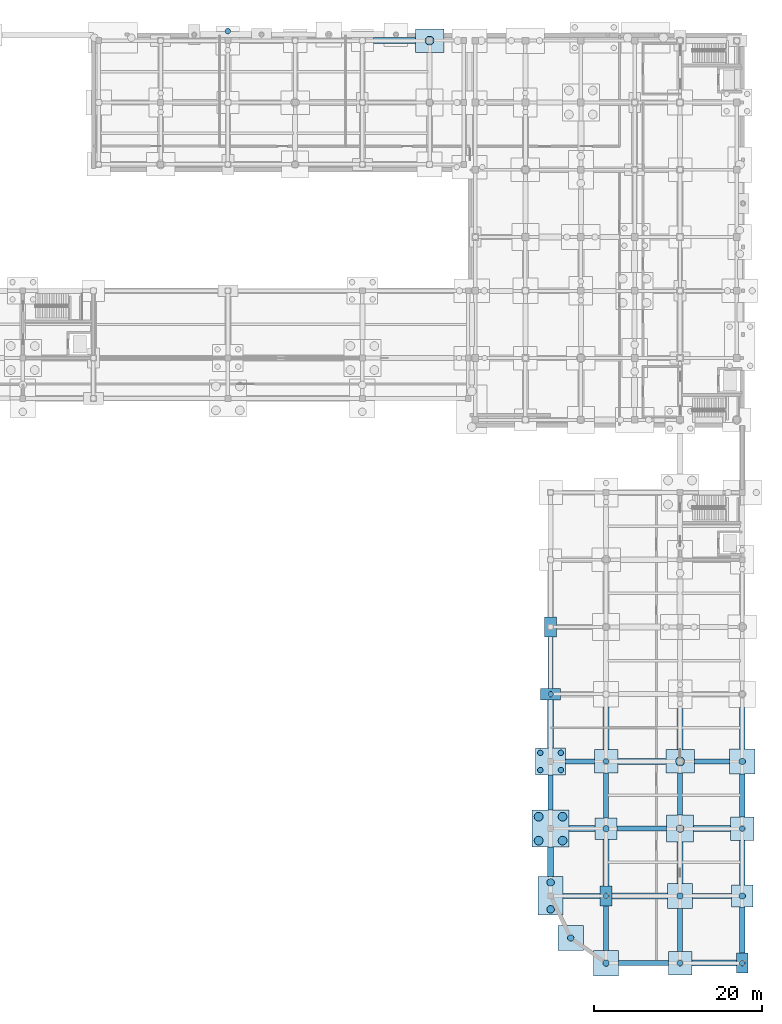
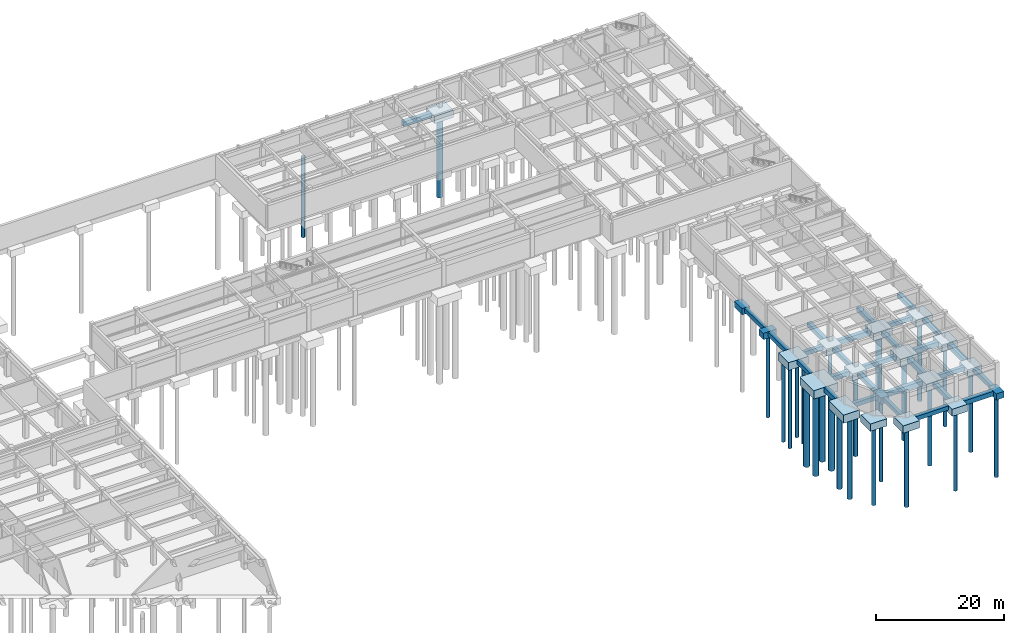
# One storey, part 8 of 35: 47 footings, 26 piles.
"""IFC4 building model written with IfcOpenShell, lengths in metres."""

from ifc_helpers import new_model, si_unit, direction, frame, origin, origin_2d, place, context, subcontext, project, spatial, polyline, rectangle, circle, outline, extrude, material, layer, layer_set, material_profile, profile_set, type_object, element, save


model = new_model("IFC4")

# Units and contexts
model_context = context("Model", 3, precision=1e-05, world=origin(), true_north=direction((0.0, 1.0)))
body_context = subcontext(model_context, "Body", "Model", "MODEL_VIEW")
ifc_project = project(units=[si_unit("LENGTHUNIT", "METRE"), si_unit("AREAUNIT", "SQUARE_METRE"), si_unit("VOLUMEUNIT", "CUBIC_METRE"), si_unit("PLANEANGLEUNIT", "RADIAN"), si_unit("MASSUNIT", "GRAM", prefix="KILO")], contexts=[model_context])

# Site, building, storey
site_placement = place(None, origin())
site = spatial("IfcSite", under=ifc_project, at=site_placement, CompositionType="ELEMENT")
building_placement = place(site_placement, origin())
building = spatial("IfcBuilding", under=site, at=building_placement, Name="Cinchona Park Media Centre", CompositionType="ELEMENT")
storey_placement = place(building_placement, frame((0.0, 0.0, -4.800048828125)))
storey = spatial("IfcBuildingStorey", under=building, at=storey_placement, Name="B1", CompositionType="ELEMENT", Elevation=-4.800048828125)

# Footings
ifc_material_1 = material(Name="Concrete C40/50", Category="concrete")
ifc_layer_1 = layer(ifc_material_1, 0.800048828125)
ifc_layer_set_1 = layer_set([ifc_layer_1], Name="Concrete C40/50")
footing_type_1 = type_object("IfcFootingType", Name="FTG-BEAM-FB01", PredefinedType="FOOTING_BEAM", material=ifc_layer_set_1)
footing_1_placement = place(storey_placement, frame((0.0, 0.0, -1.25)))
element("IfcFooting", 1, at=footing_1_placement, inside=storey, type_object=footing_type_1, Name="Ground Tie Beam FB01", PredefinedType="FOOTING_BEAM", context=body_context, shape_type="SweptSolid", body=[
    extrude(outline(polyline([(157.300048828125, 7.300048828125), (163.199951171875, 7.300048828125), (163.199951171875, 7.89990234375), (157.300048828125, 7.89990234375), (157.300048828125, 7.300048828125)])), origin(), (0.0, 0.0, 1.0), 0.800048828125),
])
footing_2_placement = place(storey_placement, frame((0.0, 0.0, -1.25)))
element("IfcFooting", 2, at=footing_2_placement, inside=storey, type_object=footing_type_1, Name="Ground Tie Beam FB01", PredefinedType="FOOTING_BEAM", context=body_context, shape_type="SweptSolid", body=[
    extrude(outline(polyline([(150.699951171875, 15.300048828125), (155.10009765625, 15.300048828125), (155.10009765625, 15.89990234375), (150.699951171875, 15.89990234375), (150.699951171875, 15.300048828125)])), origin(), (0.0, 0.0, 1.0), 0.800048828125),
])
footing_3_placement = place(storey_placement, frame((0.0, 0.0, -1.25)))
element("IfcFooting", 3, at=footing_3_placement, inside=storey, type_object=footing_type_1, Name="Ground Tie Beam FB01", PredefinedType="FOOTING_BEAM", context=body_context, shape_type="SweptSolid", body=[
    extrude(outline(polyline([(166.10009765625, 15.300048828125), (170.699951171875, 15.300048828125), (170.699951171875, 15.89990234375), (166.10009765625, 15.89990234375), (166.10009765625, 15.300048828125)])), origin(), (0.0, 0.0, 1.0), 0.800048828125),
])
footing_4_placement = place(storey_placement, frame((0.0, 0.0, -1.25)))
element("IfcFooting", 4, at=footing_4_placement, inside=storey, type_object=footing_type_1, Name="Ground Tie Beam FB01", PredefinedType="FOOTING_BEAM", context=body_context, shape_type="SweptSolid", body=[
    extrude(outline(polyline([(157.10009765625, 23.300048828125), (163.0, 23.300048828125), (163.0, 23.89990234375), (157.10009765625, 23.89990234375), (157.10009765625, 23.300048828125)])), origin(), (0.0, 0.0, 1.0), 0.800048828125),
])
footing_5_placement = place(storey_placement, frame((0.0, 0.0, -1.25)))
element("IfcFooting", 5, at=footing_5_placement, inside=storey, type_object=footing_type_1, Name="Ground Tie Beam FB01", PredefinedType="FOOTING_BEAM", context=body_context, shape_type="SweptSolid", body=[
    extrude(outline(polyline([(151.0, 31.300048828125), (154.39990234375, 31.300048828125), (154.39990234375, 31.89990234375), (151.0, 31.89990234375), (151.0, 31.300048828125)])), origin(), (0.0, 0.0, 1.0), 0.800048828125),
])
footing_6_placement = place(storey_placement, frame((0.0, 0.0, -1.25)))
element("IfcFooting", 6, at=footing_6_placement, inside=storey, type_object=footing_type_1, Name="Ground Tie Beam FB01", PredefinedType="FOOTING_BEAM", context=body_context, shape_type="SweptSolid", body=[
    extrude(outline(polyline([(166.300048828125, 31.300048828125), (170.5, 31.300048828125), (170.5, 31.89990234375), (166.300048828125, 31.89990234375), (166.300048828125, 31.300048828125)])), origin(), (0.0, 0.0, 1.0), 0.800048828125),
])
footing_7_placement = place(storey_placement, frame((0.0, 0.0, -1.25)))
element("IfcFooting", 7, at=footing_7_placement, inside=storey, type_object=footing_type_1, Name="Ground Tie Beam FB01", PredefinedType="FOOTING_BEAM", context=body_context, shape_type="SweptSolid", body=[
    extrude(outline(polyline([(148.89990234375, 25.800048828125), (149.5, 25.800048828125), (149.5, 30.0), (148.89990234375, 30.0), (148.89990234375, 25.800048828125)])), origin(), (0.0, 0.0, 1.0), 0.800048828125),
])
footing_8_placement = place(storey_placement, frame((0.0, 0.0, -1.25)))
element("IfcFooting", 8, at=footing_8_placement, inside=storey, type_object=footing_type_1, Name="Ground Tie Beam FB01", PredefinedType="FOOTING_BEAM", context=body_context, shape_type="SweptSolid", body=[
    extrude(outline(polyline([(148.89990234375, 40.300048828125), (149.5, 40.300048828125), (149.5, 46.39990234375), (148.89990234375, 46.39990234375), (148.89990234375, 40.300048828125)])), origin(), (0.0, 0.0, 1.0), 0.800048828125),
])
footing_9_placement = place(storey_placement, frame((0.0, 0.0, -1.25)))
element("IfcFooting", 9, at=footing_9_placement, inside=storey, type_object=footing_type_1, Name="Ground Tie Beam FB01", PredefinedType="FOOTING_BEAM", context=body_context, shape_type="SweptSolid", body=[
    extrude(outline(polyline([(155.5, 9.10009765625), (156.10009765625, 9.10009765625), (156.10009765625, 14.39990234375), (155.5, 14.39990234375), (155.5, 9.10009765625)])), origin(), (0.0, 0.0, 1.0), 0.800048828125),
])
footing_10_placement = place(storey_placement, frame((0.0, 0.0, -1.25)))
element("IfcFooting", 10, at=footing_10_placement, inside=storey, type_object=footing_type_1, Name="Ground Tie Beam FB01", PredefinedType="FOOTING_BEAM", context=body_context, shape_type="SweptSolid", body=[
    extrude(outline(polyline([(155.5, 24.89990234375), (156.10009765625, 24.89990234375), (156.10009765625, 30.199951171875), (155.5, 30.199951171875), (155.5, 24.89990234375)])), origin(), (0.0, 0.0, 1.0), 0.800048828125),
])
footing_11_placement = place(storey_placement, frame((0.0, 0.0, -1.25)))
element("IfcFooting", 11, at=footing_11_placement, inside=storey, type_object=footing_type_1, Name="Ground Tie Beam FB01", PredefinedType="FOOTING_BEAM", context=body_context, shape_type="SweptSolid", body=[
    extrude(outline(polyline([(164.300048828125, 9.0), (164.89990234375, 9.0), (164.89990234375, 14.10009765625), (164.300048828125, 14.10009765625), (164.300048828125, 9.0)])), origin(), (0.0, 0.0, 1.0), 0.800048828125),
])
footing_12_placement = place(storey_placement, frame((0.0, 0.0, -1.25)))
element("IfcFooting", 12, at=footing_12_placement, inside=storey, type_object=footing_type_1, Name="Ground Tie Beam FB01", PredefinedType="FOOTING_BEAM", context=body_context, shape_type="SweptSolid", body=[
    extrude(outline(polyline([(164.300048828125, 25.199951171875), (164.89990234375, 25.199951171875), (164.89990234375, 30.199951171875), (164.300048828125, 30.199951171875), (164.300048828125, 25.199951171875)])), origin(), (0.0, 0.0, 1.0), 0.800048828125),
])
footing_13_placement = place(storey_placement, frame((0.0, 0.0, -1.25)))
element("IfcFooting", 13, at=footing_13_placement, inside=storey, type_object=footing_type_1, Name="Ground Tie Beam FB01", PredefinedType="FOOTING_BEAM", context=body_context, shape_type="SweptSolid", body=[
    extrude(outline(polyline([(171.699951171875, 8.800048828125), (172.300048828125, 8.800048828125), (172.300048828125, 14.300048828125), (171.699951171875, 14.300048828125), (171.699951171875, 8.800048828125)])), origin(), (0.0, 0.0, 1.0), 0.800048828125),
])
footing_14_placement = place(storey_placement, frame((0.0, 0.0, -1.25)))
element("IfcFooting", 14, at=footing_14_placement, inside=storey, type_object=footing_type_1, Name="Ground Tie Beam FB01", PredefinedType="FOOTING_BEAM", context=body_context, shape_type="SweptSolid", body=[
    extrude(outline(polyline([(171.699951171875, 25.0), (172.300048828125, 25.0), (172.300048828125, 30.10009765625), (171.699951171875, 30.10009765625), (171.699951171875, 25.0)])), origin(), (0.0, 0.0, 1.0), 0.800048828125),
])
ifc_material_2 = material(Name="Concrete C40/50", Category="concrete")
ifc_layer_2 = layer(ifc_material_2, 0.89990234375)
ifc_layer_set_2 = layer_set([ifc_layer_2], Name="Concrete C40/50")
footing_type_2 = type_object("IfcFootingType", Name="FTG-BEAM-FB02", PredefinedType="FOOTING_BEAM", material=ifc_layer_set_2)
footing_15_placement = place(storey_placement, frame((0.0, 0.0, -1.349853515625)))
element("IfcFooting", 15, at=footing_15_placement, inside=storey, type_object=footing_type_2, Name="Ground Tie Beam FB02", PredefinedType="FOOTING_BEAM", context=body_context, shape_type="SweptSolid", body=[
    extrude(outline(polyline([(166.0, 7.25), (171.300048828125, 7.25), (171.300048828125, 7.949951171875), (166.0, 7.949951171875), (166.0, 7.25)])), origin(), (0.0, 0.0, 1.0), 0.89990234375),
])
footing_16_placement = place(storey_placement, frame((0.0, 0.0, -1.349853515625)))
element("IfcFooting", 16, at=footing_16_placement, inside=storey, type_object=footing_type_2, Name="Ground Tie Beam FB02", PredefinedType="FOOTING_BEAM", context=body_context, shape_type="SweptSolid", body=[
    extrude(outline(polyline([(156.5, 15.25), (163.10009765625, 15.25), (163.10009765625, 15.949951171875), (156.5, 15.949951171875), (156.5, 15.25)])), origin(), (0.0, 0.0, 1.0), 0.89990234375),
])
footing_17_placement = place(storey_placement, frame((0.0, 0.0, -1.349853515625)))
element("IfcFooting", 17, at=footing_17_placement, inside=storey, type_object=footing_type_2, Name="Ground Tie Beam FB02", PredefinedType="FOOTING_BEAM", context=body_context, shape_type="SweptSolid", body=[
    extrude(outline(polyline([(151.39990234375, 23.25), (154.5, 23.25), (154.5, 23.949951171875), (151.39990234375, 23.949951171875), (151.39990234375, 23.25)])), origin(), (0.0, 0.0, 1.0), 0.89990234375),
])
footing_18_placement = place(storey_placement, frame((0.0, 0.0, -1.349853515625)))
element("IfcFooting", 18, at=footing_18_placement, inside=storey, type_object=footing_type_2, Name="Ground Tie Beam FB02", PredefinedType="FOOTING_BEAM", context=body_context, shape_type="SweptSolid", body=[
    extrude(outline(polyline([(166.199951171875, 23.25), (170.60009765625, 23.25), (170.60009765625, 23.949951171875), (166.199951171875, 23.949951171875), (166.199951171875, 23.25)])), origin(), (0.0, 0.0, 1.0), 0.89990234375),
])
footing_19_placement = place(storey_placement, frame((0.0, 0.0, -1.349853515625)))
element("IfcFooting", 19, at=footing_19_placement, inside=storey, type_object=footing_type_2, Name="Ground Tie Beam FB02", PredefinedType="FOOTING_BEAM", context=body_context, shape_type="SweptSolid", body=[
    extrude(outline(polyline([(157.199951171875, 31.25), (162.89990234375, 31.25), (162.89990234375, 31.949951171875), (157.199951171875, 31.949951171875), (157.199951171875, 31.25)])), origin(), (0.0, 0.0, 1.0), 0.89990234375),
])
footing_20_placement = place(storey_placement, frame((0.0, 0.0, -1.39990234375)))
element("IfcFooting", 20, at=footing_20_placement, inside=storey, type_object=footing_type_2, Name="Ground Tie Beam FB02", PredefinedType="FOOTING_BEAM", context=body_context, shape_type="SweptSolid", body=[
    extrude(outline(polyline([(128.10009765625, 117.010009765625), (133.10009765625, 117.010009765625), (133.10009765625, 117.7099609375), (128.10009765625, 117.7099609375), (128.10009765625, 117.010009765625)])), origin(), (0.0, 0.0, 1.0), 0.89990234375),
])
footing_21_placement = place(storey_placement, frame((0.0, 0.0, -1.349853515625)))
element("IfcFooting", 21, at=footing_21_placement, inside=storey, type_object=footing_type_2, Name="Ground Tie Beam FB02", PredefinedType="FOOTING_BEAM", context=body_context, shape_type="SweptSolid", body=[
    extrude(outline(polyline([(148.85009765625, 17.89990234375), (149.550048828125, 17.89990234375), (149.550048828125, 21.39990234375), (148.85009765625, 21.39990234375), (148.85009765625, 17.89990234375)])), origin(), (0.0, 0.0, 1.0), 0.89990234375),
])
footing_22_placement = place(storey_placement, frame((0.0, 0.0, -1.349853515625)))
element("IfcFooting", 22, at=footing_22_placement, inside=storey, type_object=footing_type_2, Name="Ground Tie Beam FB02", PredefinedType="FOOTING_BEAM", context=body_context, shape_type="SweptSolid", body=[
    extrude(outline(polyline([(148.85009765625, 33.199951171875), (149.550048828125, 33.199951171875), (149.550048828125, 38.89990234375), (148.85009765625, 38.89990234375), (148.85009765625, 33.199951171875)])), origin(), (0.0, 0.0, 1.0), 0.89990234375),
])
footing_23_placement = place(storey_placement, frame((0.0, 0.0, -1.349853515625)))
element("IfcFooting", 23, at=footing_23_placement, inside=storey, type_object=footing_type_2, Name="Ground Tie Beam FB02", PredefinedType="FOOTING_BEAM", context=body_context, shape_type="SweptSolid", body=[
    extrude(outline(polyline([(155.449951171875, 16.800048828125), (156.14990234375, 16.800048828125), (156.14990234375, 22.300048828125), (155.449951171875, 22.300048828125), (155.449951171875, 16.800048828125)])), origin(), (0.0, 0.0, 1.0), 0.89990234375),
])
footing_24_placement = place(storey_placement, frame((0.0, 0.0, -1.349853515625)))
element("IfcFooting", 24, at=footing_24_placement, inside=storey, type_object=footing_type_2, Name="Ground Tie Beam FB02", PredefinedType="FOOTING_BEAM", context=body_context, shape_type="SweptSolid", body=[
    extrude(outline(polyline([(155.449951171875, 33.0), (156.14990234375, 33.0), (156.14990234375, 38.10009765625), (155.449951171875, 38.10009765625), (155.449951171875, 33.0)])), origin(), (0.0, 0.0, 1.0), 0.89990234375),
])
footing_25_placement = place(storey_placement, frame((0.0, 0.0, -1.349853515625)))
element("IfcFooting", 25, at=footing_25_placement, inside=storey, type_object=footing_type_2, Name="Ground Tie Beam FB02", PredefinedType="FOOTING_BEAM", context=body_context, shape_type="SweptSolid", body=[
    extrude(outline(polyline([(164.25, 17.10009765625), (164.949951171875, 17.10009765625), (164.949951171875, 22.0), (164.25, 22.0), (164.25, 17.10009765625)])), origin(), (0.0, 0.0, 1.0), 0.89990234375),
])
footing_26_placement = place(storey_placement, frame((0.0, 0.0, -1.349853515625)))
element("IfcFooting", 26, at=footing_26_placement, inside=storey, type_object=footing_type_2, Name="Ground Tie Beam FB02", PredefinedType="FOOTING_BEAM", context=body_context, shape_type="SweptSolid", body=[
    extrude(outline(polyline([(164.25, 33.0), (164.949951171875, 33.0), (164.949951171875, 37.89990234375), (164.25, 37.89990234375), (164.25, 33.0)])), origin(), (0.0, 0.0, 1.0), 0.89990234375),
])
footing_27_placement = place(storey_placement, frame((0.0, 0.0, -1.349853515625)))
element("IfcFooting", 27, at=footing_27_placement, inside=storey, type_object=footing_type_2, Name="Ground Tie Beam FB02", PredefinedType="FOOTING_BEAM", context=body_context, shape_type="SweptSolid", body=[
    extrude(outline(polyline([(171.64990234375, 16.89990234375), (172.35009765625, 16.89990234375), (172.35009765625, 22.199951171875), (171.64990234375, 22.199951171875), (171.64990234375, 16.89990234375)])), origin(), (0.0, 0.0, 1.0), 0.89990234375),
])
footing_28_placement = place(storey_placement, frame((0.0, 0.0, -1.349853515625)))
element("IfcFooting", 28, at=footing_28_placement, inside=storey, type_object=footing_type_2, Name="Ground Tie Beam FB02", PredefinedType="FOOTING_BEAM", context=body_context, shape_type="SweptSolid", body=[
    extrude(outline(polyline([(171.64990234375, 33.10009765625), (172.35009765625, 33.10009765625), (172.35009765625, 38.0), (171.64990234375, 38.0), (171.64990234375, 33.10009765625)])), origin(), (0.0, 0.0, 1.0), 0.89990234375),
])

# Piles
ifc_material_3 = material(Name="Concrete C40/50", Category="concrete")
ifc_material_profile_1 = material_profile(ifc_material_3, circle(Radius=0.52490234375, at=origin_2d()), Name="BORED PILE 1050")
ifc_profile_set_1 = profile_set([ifc_material_profile_1], Name="Concrete C40/50")
pile_type_1 = type_object("IfcPileType", Name="PILE-BP1050", PredefinedType="BORED", material=ifc_profile_set_1)
pile_1_placement = place(storey_placement, frame((134.800048828125, 117.360107421875, -1.800048828125), z_axis=(0.0, 0.0, -1.0), x_axis=(1.0, 0.0, 0.0)))
element("IfcPile", 29, at=pile_1_placement, inside=storey, type_object=pile_type_1, Name="Bored Pile P1050", PredefinedType="BORED", context=body_context, shape_type="SweptSolid", body=[
    extrude(circle(Radius=0.52490234375, at=origin_2d()), origin(), (0.0, 0.0, 1.0), 15.39990234375),
])
for number, where, z_axis, x_axis, name in (
    (30, (147.77490234375, 22.175048828125, -1.949951171875), (0.0, 0.0, -1.0), (1.0, 0.0, 0.0), "Bored Pile P1050"),
    (31, (147.77490234375, 25.02490234375, -1.949951171875), (0.0, 0.0, -1.0), (1.0, 0.0, 0.0), "Bored Pile P1050"),
    (32, (150.625, 22.175048828125, -1.949951171875), (0.0, 0.0, -1.0), (1.0, 0.0, 0.0), "Bored Pile P1050"),
    (33, (150.625, 25.02490234375, -1.949951171875), (0.0, 0.0, -1.0), (1.0, 0.0, 0.0), "Bored Pile P1050"),
):
    element("IfcPile", number, at=place(storey_placement, frame(where, z_axis=z_axis, x_axis=x_axis)), inside=storey, type_object=pile_type_1, Name=name, PredefinedType="BORED", context=body_context, shape_type="SweptSolid", body=[
        extrude(circle(Radius=0.52490234375, at=origin_2d()), origin(), (0.0, 0.0, 1.0), 15.25),
    ])
pile_2_placement = place(storey_placement, frame((164.60009765625, 31.60009765625, -1.75), z_axis=(0.0, 0.0, -1.0), x_axis=(1.0, 0.0, 0.0)))
element("IfcPile", 34, at=pile_2_placement, inside=storey, type_object=pile_type_1, Name="Bored Pile P1050", PredefinedType="BORED", context=body_context, shape_type="SweptSolid", body=[
    extrude(circle(Radius=0.52490234375, at=origin_2d()), origin(), (0.0, 0.0, 1.0), 15.449951171875),
])
ifc_material_4 = material(Name="Concrete C40/50", Category="concrete")
ifc_material_profile_2 = material_profile(ifc_material_4, circle(Radius=0.324951171875, at=origin_2d()), Name="BORED PILE 650")
ifc_profile_set_2 = profile_set([ifc_material_profile_2], Name="Concrete C40/50")
pile_type_2 = type_object("IfcPileType", Name="PILE-BP650", PredefinedType="BORED", material=ifc_profile_set_2)
pile_3_placement = place(storey_placement, frame((110.800048828125, 118.485107421875, -1.800048828125), z_axis=(0.0, 0.0, -1.0), x_axis=(1.0, 0.0, 0.0)))
element("IfcPile", 35, at=pile_3_placement, inside=storey, type_object=pile_type_2, Name="Bored Pile P650", PredefinedType="BORED", context=body_context, shape_type="SweptSolid", body=[
    extrude(circle(Radius=0.324951171875, at=origin_2d()), origin(), (0.0, 0.0, 1.0), 15.39990234375),
])
for number, where, z_axis, x_axis, name in (
    (36, (147.97509765625, 30.574951171875, -1.829833984375), (0.0, 0.0, -1.0), (1.0, 0.0, 0.0), "Bored Pile P650"),
    (37, (147.97509765625, 32.625, -1.829833984375), (0.0, 0.0, -1.0), (1.0, 0.0, 0.0), "Bored Pile P650"),
    (38, (150.425048828125, 30.574951171875, -1.829833984375), (0.0, 0.0, -1.0), (1.0, 0.0, 0.0), "Bored Pile P650"),
    (39, (150.425048828125, 32.625, -1.829833984375), (0.0, 0.0, -1.0), (1.0, 0.0, 0.0), "Bored Pile P650"),
):
    element("IfcPile", number, at=place(storey_placement, frame(where, z_axis=z_axis, x_axis=x_axis)), inside=storey, type_object=pile_type_2, Name=name, PredefinedType="BORED", context=body_context, shape_type="SweptSolid", body=[
        extrude(circle(Radius=0.324951171875, at=origin_2d()), origin(), (0.0, 0.0, 1.0), 15.3701171875),
    ])
for number, where, z_axis, x_axis, name in (
    (40, (149.199951171875, 39.60009765625, -1.550048828125), (0.0, 0.0, -1.0), (1.0, 0.0, 0.0), "Bored Pile P650"),
    (41, (155.800048828125, 15.60009765625, -1.550048828125), (0.0, 0.0, -1.0), (1.0, 0.0, 0.0), "Bored Pile P650"),
):
    element("IfcPile", number, at=place(storey_placement, frame(where, z_axis=z_axis, x_axis=x_axis)), inside=storey, type_object=pile_type_2, Name=name, PredefinedType="BORED", context=body_context, shape_type="SweptSolid", body=[
        extrude(circle(Radius=0.324951171875, at=origin_2d()), origin(), (0.0, 0.0, 1.0), 15.64990234375),
    ])
for number, where, z_axis, x_axis, name in (
    (42, (155.800048828125, 31.60009765625, -1.699951171875), (0.0, 0.0, -1.0), (1.0, 0.0, 0.0), "Bored Pile P650"),
    (43, (164.60009765625, 7.60009765625, -1.699951171875), (0.0, 0.0, -1.0), (1.0, 0.0, 0.0), "Bored Pile P650"),
):
    element("IfcPile", number, at=place(storey_placement, frame(where, z_axis=z_axis, x_axis=x_axis)), inside=storey, type_object=pile_type_2, Name=name, PredefinedType="BORED", context=body_context, shape_type="SweptSolid", body=[
        extrude(circle(Radius=0.324951171875, at=origin_2d()), origin(), (0.0, 0.0, 1.0), 15.5),
    ])
pile_4_placement = place(storey_placement, frame((172.0, 7.60009765625, -1.550048828125), z_axis=(0.0, 0.0, -1.0), x_axis=(1.0, 0.0, 0.0)))
element("IfcPile", 44, at=pile_4_placement, inside=storey, type_object=pile_type_2, Name="Bored Pile P650", PredefinedType="BORED", context=body_context, shape_type="SweptSolid", body=[
    extrude(circle(Radius=0.324951171875, at=origin_2d()), origin(), (0.0, 0.0, 1.0), 15.64990234375),
])
pile_5_placement = place(storey_placement, frame((172.0, 23.60009765625, -1.699951171875), z_axis=(0.0, 0.0, -1.0), x_axis=(1.0, 0.0, 0.0)))
element("IfcPile", 45, at=pile_5_placement, inside=storey, type_object=pile_type_2, Name="Bored Pile P650", PredefinedType="BORED", context=body_context, shape_type="SweptSolid", body=[
    extrude(circle(Radius=0.324951171875, at=origin_2d()), origin(), (0.0, 0.0, 1.0), 15.5),
])
ifc_material_5 = material(Name="Concrete C40/50", Category="concrete")
ifc_material_profile_3 = material_profile(ifc_material_5, circle(Radius=0.375, at=origin_2d()), Name="BORED PILE 750")
ifc_profile_set_3 = profile_set([ifc_material_profile_3], Name="Concrete C40/50")
pile_type_3 = type_object("IfcPileType", Name="PILE-BP750", PredefinedType="BORED", material=ifc_profile_set_3)
for number, where, z_axis, x_axis, name in (
    (46, (151.60009765625, 10.60009765625, -1.75), (0.0, 0.0, -1.0), (1.0, 0.0, 0.0), "Bored Pile P750"),
    (47, (155.800048828125, 7.60009765625, -1.75), (0.0, 0.0, -1.0), (1.0, 0.0, 0.0), "Bored Pile P750"),
):
    element("IfcPile", number, at=place(storey_placement, frame(where, z_axis=z_axis, x_axis=x_axis)), inside=storey, type_object=pile_type_3, Name=name, PredefinedType="BORED", context=body_context, shape_type="SweptSolid", body=[
        extrude(circle(Radius=0.375, at=origin_2d()), origin(), (0.0, 0.0, 1.0), 15.449951171875),
    ])
pile_6_placement = place(storey_placement, frame((155.800048828125, 23.60009765625, -1.64990234375), z_axis=(0.0, 0.0, -1.0), x_axis=(1.0, 0.0, 0.0)))
element("IfcPile", 48, at=pile_6_placement, inside=storey, type_object=pile_type_3, Name="Bored Pile P750", PredefinedType="BORED", context=body_context, shape_type="SweptSolid", body=[
    extrude(circle(Radius=0.375, at=origin_2d()), origin(), (0.0, 0.0, 1.0), 15.550048828125),
])
pile_7_placement = place(storey_placement, frame((164.60009765625, 15.60009765625, -1.75), z_axis=(0.0, 0.0, -1.0), x_axis=(1.0, 0.0, 0.0)))
element("IfcPile", 49, at=pile_7_placement, inside=storey, type_object=pile_type_3, Name="Bored Pile P750", PredefinedType="BORED", context=body_context, shape_type="SweptSolid", body=[
    extrude(circle(Radius=0.375, at=origin_2d()), origin(), (0.0, 0.0, 1.0), 15.449951171875),
])
pile_8_placement = place(storey_placement, frame((172.0, 15.60009765625, -1.64990234375), z_axis=(0.0, 0.0, -1.0), x_axis=(1.0, 0.0, 0.0)))
element("IfcPile", 50, at=pile_8_placement, inside=storey, type_object=pile_type_3, Name="Bored Pile P750", PredefinedType="BORED", context=body_context, shape_type="SweptSolid", body=[
    extrude(circle(Radius=0.375, at=origin_2d()), origin(), (0.0, 0.0, 1.0), 15.550048828125),
])
pile_9_placement = place(storey_placement, frame((172.0, 31.60009765625, -1.75), z_axis=(0.0, 0.0, -1.0), x_axis=(1.0, 0.0, 0.0)))
element("IfcPile", 51, at=pile_9_placement, inside=storey, type_object=pile_type_3, Name="Bored Pile P750", PredefinedType="BORED", context=body_context, shape_type="SweptSolid", body=[
    extrude(circle(Radius=0.375, at=origin_2d()), origin(), (0.0, 0.0, 1.0), 15.449951171875),
])
ifc_material_6 = material(Name="Concrete C40/50", Category="concrete")
ifc_material_profile_4 = material_profile(ifc_material_6, circle(Radius=0.449951171875, at=origin_2d()), Name="BORED PILE 900")
ifc_profile_set_4 = profile_set([ifc_material_profile_4], Name="Concrete C40/50")
pile_type_4 = type_object("IfcPileType", Name="PILE-BP900", PredefinedType="BORED", material=ifc_profile_set_4)
for number, where, z_axis, x_axis, name in (
    (52, (149.199951171875, 14.0, -1.89990234375), (0.0, 0.0, -1.0), (1.0, 0.0, 0.0), "Bored Pile P900"),
    (53, (149.199951171875, 17.199951171875, -1.89990234375), (0.0, 0.0, -1.0), (1.0, 0.0, 0.0), "Bored Pile P900"),
):
    element("IfcPile", number, at=place(storey_placement, frame(where, z_axis=z_axis, x_axis=x_axis)), inside=storey, type_object=pile_type_4, Name=name, PredefinedType="BORED", context=body_context, shape_type="SweptSolid", body=[
        extrude(circle(Radius=0.449951171875, at=origin_2d()), origin(), (0.0, 0.0, 1.0), 15.300048828125),
    ])
pile_10_placement = place(storey_placement, frame((164.60009765625, 23.60009765625, -1.800048828125), z_axis=(0.0, 0.0, -1.0), x_axis=(1.0, 0.0, 0.0)))
element("IfcPile", 54, at=pile_10_placement, inside=storey, type_object=pile_type_4, Name="Bored Pile P900", PredefinedType="BORED", context=body_context, shape_type="SweptSolid", body=[
    extrude(circle(Radius=0.449951171875, at=origin_2d()), origin(), (0.0, 0.0, 1.0), 15.39990234375),
])

# Footings
ifc_material_7 = material(Name="Concrete C40/50", Category="concrete")
ifc_layer_3 = layer(ifc_material_7, 1.199951171875)
ifc_layer_set_3 = layer_set([ifc_layer_3], Name="Concrete C40/50")
footing_type_3 = type_object("IfcFootingType", Name="PILE-CAP-PC01", PredefinedType="PILE_CAP", material=ifc_layer_set_3)
footing_29_placement = place(storey_placement, frame((149.199951171875, 39.60009765625, -1.64990234375), z_axis=(0.0, 0.0, 1.0), x_axis=(1.0, 0.0, 0.0)))
element("IfcFooting", 55, at=footing_29_placement, inside=storey, type_object=footing_type_3, Name="Pile Cap PC01", PredefinedType="PILE_CAP", context=body_context, shape_type="SweptSolid", body=[
    extrude(rectangle(XDim=2.39990234375, YDim=1.39990234375, at=origin_2d()), origin(), (0.0, 0.0, 1.0), 1.199951171875),
])
ifc_material_8 = material(Name="Concrete C40/50", Category="concrete")
ifc_layer_4 = layer(ifc_material_8, 1.199951171875)
ifc_layer_set_4 = layer_set([ifc_layer_4], Name="Concrete C40/50")
footing_type_4 = type_object("IfcFootingType", Name="PILE-CAP-PC02", PredefinedType="PILE_CAP", material=ifc_layer_set_4)
for number, where, z_axis, x_axis, name in (
    (56, (149.199951171875, 47.60009765625, -1.64990234375), (0.0, 0.0, 1.0), (1.0, 0.0, 0.0), "Pile Cap PC02"),
    (57, (155.800048828125, 15.60009765625, -1.64990234375), (0.0, 0.0, 1.0), (1.0, 0.0, 0.0), "Pile Cap PC02"),
    (58, (172.0, 7.60009765625, -1.64990234375), (0.0, 0.0, 1.0), (1.0, 0.0, 0.0), "Pile Cap PC02"),
):
    element("IfcFooting", number, at=place(storey_placement, frame(where, z_axis=z_axis, x_axis=x_axis)), inside=storey, type_object=footing_type_4, Name=name, PredefinedType="PILE_CAP", context=body_context, shape_type="SweptSolid", body=[
        extrude(rectangle(XDim=1.39990234375, YDim=2.39990234375, at=origin_2d()), origin(), (0.0, 0.0, 1.0), 1.199951171875),
    ])
ifc_material_9 = material(Name="Concrete C40/50", Category="concrete")
ifc_layer_5 = layer(ifc_material_9, 1.300048828125)
ifc_layer_set_5 = layer_set([ifc_layer_5], Name="Concrete C40/50")
footing_type_5 = type_object("IfcFootingType", Name="PILE-CAP-PC03", PredefinedType="PILE_CAP", material=ifc_layer_set_5)
for number, where, z_axis, x_axis, name in (
    (59, (155.800048828125, 23.60009765625, -1.75), (0.0, 0.0, 1.0), (1.0, 0.0, 0.0), "Pile Cap PC03"),
    (60, (172.0, 15.60009765625, -1.75), (0.0, 0.0, 1.0), (1.0, 0.0, 0.0), "Pile Cap PC03"),
):
    element("IfcFooting", number, at=place(storey_placement, frame(where, z_axis=z_axis, x_axis=x_axis)), inside=storey, type_object=footing_type_5, Name=name, PredefinedType="PILE_CAP", context=body_context, shape_type="SweptSolid", body=[
        extrude(rectangle(XDim=2.60009765625, YDim=2.60009765625, at=origin_2d()), origin(), (0.0, 0.0, 1.0), 1.300048828125),
    ])
ifc_material_10 = material(Name="Concrete C40/50", Category="concrete")
ifc_layer_6 = layer(ifc_material_10, 1.35009765625)
ifc_layer_set_6 = layer_set([ifc_layer_6], Name="Concrete C40/50")
footing_type_6 = type_object("IfcFootingType", Name="PILE-CAP-PC04", PredefinedType="PILE_CAP", material=ifc_layer_set_6)
for number, where, z_axis, x_axis, name in (
    (61, (155.800048828125, 31.60009765625, -1.800048828125), (0.0, 0.0, 1.0), (1.0, 0.0, 0.0), "Pile Cap PC04"),
    (62, (164.60009765625, 7.60009765625, -1.800048828125), (0.0, 0.0, 1.0), (1.0, 0.0, 0.0), "Pile Cap PC04"),
    (63, (172.0, 23.60009765625, -1.800048828125), (0.0, 0.0, 1.0), (1.0, 0.0, 0.0), "Pile Cap PC04"),
):
    element("IfcFooting", number, at=place(storey_placement, frame(where, z_axis=z_axis, x_axis=x_axis)), inside=storey, type_object=footing_type_6, Name=name, PredefinedType="PILE_CAP", context=body_context, shape_type="SweptSolid", body=[
        extrude(rectangle(XDim=2.800048828125, YDim=2.800048828125, at=origin_2d()), origin(), (0.0, 0.0, 1.0), 1.35009765625),
    ])
ifc_material_11 = material(Name="Concrete C40/50", Category="concrete")
ifc_layer_7 = layer(ifc_material_11, 1.39990234375)
ifc_layer_set_7 = layer_set([ifc_layer_7], Name="Concrete C40/50")
footing_type_7 = type_object("IfcFootingType", Name="PILE-CAP-PC05", PredefinedType="PILE_CAP", material=ifc_layer_set_7)
for number, where, z_axis, x_axis, name in (
    (64, (151.60009765625, 10.60009765625, -1.849853515625), (0.0, 0.0, 1.0), (1.0, 0.0, 0.0), "Pile Cap PC05"),
    (65, (155.800048828125, 7.60009765625, -1.849853515625), (0.0, 0.0, 1.0), (1.0, 0.0, 0.0), "Pile Cap PC05"),
    (66, (164.60009765625, 15.60009765625, -1.849853515625), (0.0, 0.0, 1.0), (1.0, 0.0, 0.0), "Pile Cap PC05"),
    (67, (172.0, 31.60009765625, -1.849853515625), (0.0, 0.0, 1.0), (1.0, 0.0, 0.0), "Pile Cap PC05"),
):
    element("IfcFooting", number, at=place(storey_placement, frame(where, z_axis=z_axis, x_axis=x_axis)), inside=storey, type_object=footing_type_7, Name=name, PredefinedType="PILE_CAP", context=body_context, shape_type="SweptSolid", body=[
        extrude(rectangle(XDim=3.0, YDim=3.0, at=origin_2d()), origin(), (0.0, 0.0, 1.0), 1.39990234375),
    ])
ifc_material_12 = material(Name="Concrete C40/50", Category="concrete")
ifc_layer_8 = layer(ifc_material_12, 1.449951171875)
ifc_layer_set_8 = layer_set([ifc_layer_8], Name="Concrete C40/50")
footing_type_8 = type_object("IfcFootingType", Name="PILE-CAP-PC06", PredefinedType="PILE_CAP", material=ifc_layer_set_8)
footing_30_placement = place(storey_placement, frame((164.60009765625, 23.60009765625, -1.89990234375), z_axis=(0.0, 0.0, 1.0), x_axis=(1.0, 0.0, 0.0)))
element("IfcFooting", 68, at=footing_30_placement, inside=storey, type_object=footing_type_8, Name="Pile Cap PC06", PredefinedType="PILE_CAP", context=body_context, shape_type="SweptSolid", body=[
    extrude(rectangle(XDim=3.199951171875, YDim=3.199951171875, at=origin_2d()), origin(), (0.0, 0.0, 1.0), 1.449951171875),
])
ifc_material_13 = material(Name="Concrete C40/50", Category="concrete")
ifc_layer_9 = layer(ifc_material_13, 1.39990234375)
ifc_layer_set_9 = layer_set([ifc_layer_9], Name="Concrete C40/50")
footing_type_9 = type_object("IfcFootingType", Name="PILE-CAP-PC07", PredefinedType="PILE_CAP", material=ifc_layer_set_9)
for number, where, z_axis, x_axis, name in (
    (69, (134.800048828125, 117.360107421875, -1.89990234375), (0.0, 0.0, 1.0), (1.0, 0.0, 0.0), "Pile Cap PC07"),
    (70, (164.60009765625, 31.60009765625, -1.849853515625), (0.0, 0.0, 1.0), (1.0, 0.0, 0.0), "Pile Cap PC07"),
):
    element("IfcFooting", number, at=place(storey_placement, frame(where, z_axis=z_axis, x_axis=x_axis)), inside=storey, type_object=footing_type_9, Name=name, PredefinedType="PILE_CAP", context=body_context, shape_type="SweptSolid", body=[
        extrude(rectangle(XDim=3.39990234375, YDim=2.800048828125, at=origin_2d()), origin(), (0.0, 0.0, 1.0), 1.39990234375),
    ])
ifc_material_14 = material(Name="Concrete C40/50", Category="concrete")
ifc_layer_10 = layer(ifc_material_14, 1.550048828125)
ifc_layer_set_10 = layer_set([ifc_layer_10], Name="Concrete C40/50")
footing_type_10 = type_object("IfcFootingType", Name="PILE-CAP-PC12", PredefinedType="PILE_CAP", material=ifc_layer_set_10)
footing_31_placement = place(storey_placement, frame((149.199951171875, 15.60009765625, -2.0), z_axis=(0.0, 0.0, 1.0), x_axis=(1.0, 0.0, 0.0)))
element("IfcFooting", 71, at=footing_31_placement, inside=storey, type_object=footing_type_10, Name="Pile Cap PC12", PredefinedType="PILE_CAP", context=body_context, shape_type="SweptSolid", body=[
    extrude(rectangle(XDim=3.0, YDim=4.60009765625, at=origin_2d()), origin(), (0.0, 0.0, 1.0), 1.550048828125),
])
ifc_material_15 = material(Name="Concrete C40/50", Category="concrete")
ifc_layer_11 = layer(ifc_material_15, 1.60009765625)
ifc_layer_set_11 = layer_set([ifc_layer_11], Name="Concrete C40/50")
footing_type_11 = type_object("IfcFootingType", Name="PILE-CAP-PC13", PredefinedType="PILE_CAP", material=ifc_layer_set_11)
footing_32_placement = place(storey_placement, frame((149.199951171875, 23.60009765625, -2.050048828125), z_axis=(0.0, 0.0, 1.0), x_axis=(1.0, 0.0, 0.0)))
element("IfcFooting", 72, at=footing_32_placement, inside=storey, type_object=footing_type_11, Name="Pile Cap PC13", PredefinedType="PILE_CAP", context=body_context, shape_type="SweptSolid", body=[
    extrude(rectangle(XDim=4.39990234375, YDim=4.39990234375, at=origin_2d()), origin(), (0.0, 0.0, 1.0), 1.60009765625),
])
ifc_material_16 = material(Name="Concrete C40/50", Category="concrete")
ifc_layer_12 = layer(ifc_material_16, 1.47998046875)
ifc_layer_set_12 = layer_set([ifc_layer_12], Name="Concrete C40/50")
footing_type_12 = type_object("IfcFootingType", Name="PILE-CAP-PC15", PredefinedType="PILE_CAP", material=ifc_layer_set_12)
footing_33_placement = place(storey_placement, frame((149.199951171875, 31.60009765625, -1.929931640625), z_axis=(0.0, 0.0, 1.0), x_axis=(1.0, 0.0, 0.0)))
element("IfcFooting", 73, at=footing_33_placement, inside=storey, type_object=footing_type_12, Name="Pile Cap PC15", PredefinedType="PILE_CAP", context=body_context, shape_type="SweptSolid", body=[
    extrude(rectangle(XDim=3.60009765625, YDim=3.199951171875, at=origin_2d()), origin(), (0.0, 0.0, 1.0), 1.47998046875),
])

save(model, "model.ifc")
